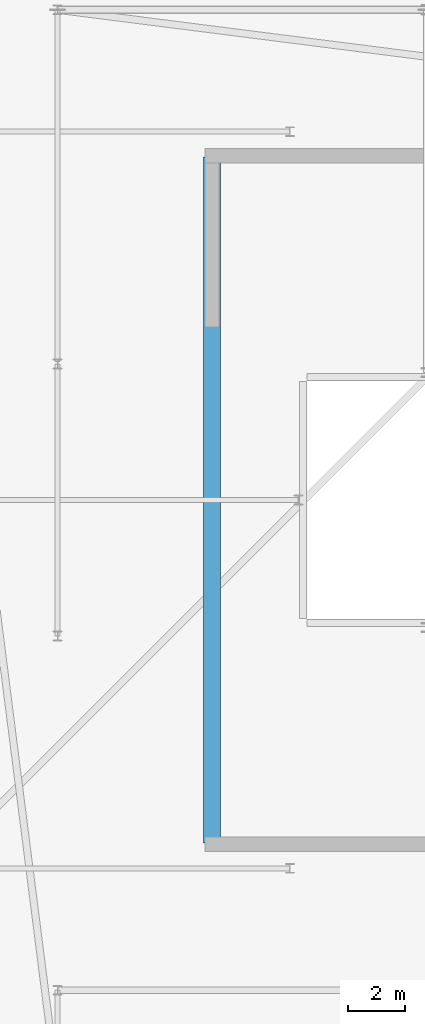
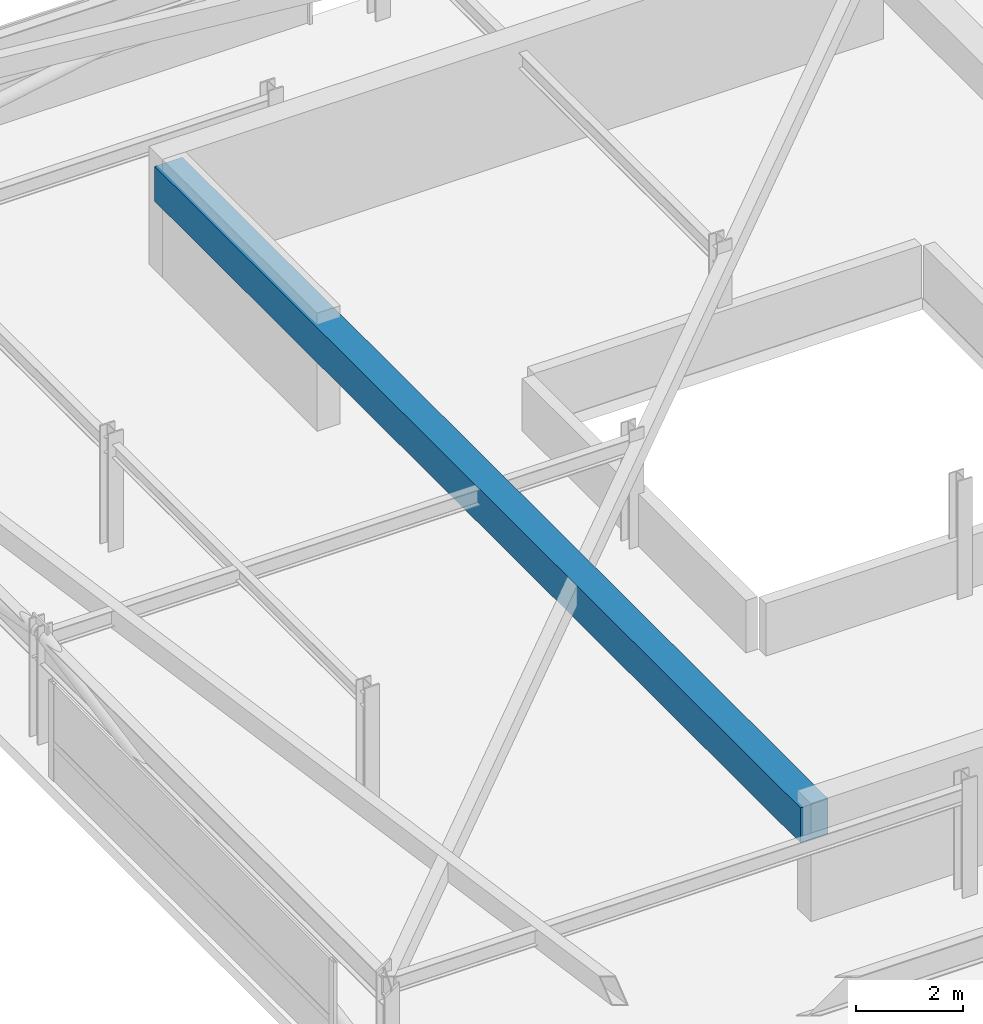
# One storey, part 13 of 42: 1 beam.
"""IFC4 building model written with IfcOpenShell, lengths in metres."""

from ifc_helpers import new_model, si_unit, direction, frame, origin, origin_2d, place, context, subcontext, project, spatial, rectangle, extrude, material, material_profile, profile_set, type_object, element, save


model = new_model("IFC4")

# Units and contexts
model_context = context("Model", 3, precision=1e-05, world=origin(), true_north=direction((0.0, 1.0)))
body_context = subcontext(model_context, "Body", "Model", "MODEL_VIEW")
ifc_project = project(units=[si_unit("LENGTHUNIT", "METRE"), si_unit("AREAUNIT", "SQUARE_METRE"), si_unit("VOLUMEUNIT", "CUBIC_METRE"), si_unit("PLANEANGLEUNIT", "RADIAN"), si_unit("MASSUNIT", "GRAM", prefix="KILO")], contexts=[model_context])

# Site, building, storey
site_placement = place(None, origin())
site = spatial("IfcSite", under=ifc_project, at=site_placement, CompositionType="ELEMENT")
building_placement = place(site_placement, origin())
building = spatial("IfcBuilding", under=site, at=building_placement, Name="Thornwick Lancets Civic Towers", CompositionType="ELEMENT")
storey_placement = place(building_placement, frame((0.0, 0.0, 289.5)))
storey = spatial("IfcBuildingStorey", under=building, at=storey_placement, Name="C04", CompositionType="ELEMENT", Elevation=289.5)

# Beam
ifc_material = material(Name="Concrete C60/75", Category="concrete")
ifc_material_profile = material_profile(ifc_material, rectangle(XDim=0.60009765625, YDim=0.800048828125, at=origin_2d()), Name="RC 600x800")
ifc_profile_set = profile_set([ifc_material_profile], Name="Concrete C60/75")
beam_type = type_object("IfcBeamType", Name="BM_COUP_RC800", PredefinedType="BEAM", material=ifc_profile_set)
beam_placement = place(storey_placement, frame((17.949951171875, 14.89990234375, 2.0400390625), z_axis=(0.0, 1.0, 0.0), x_axis=(-1.0, 0.0, 0.0)))
element("IfcBeam", 1, at=beam_placement, inside=storey, type_object=beam_type, Name="CB-C04-A2", PredefinedType="BEAM", context=body_context, shape_type="SweptSolid", body=[
    extrude(rectangle(XDim=0.60009765625, YDim=0.800048828125, at=origin_2d()), origin(), (0.0, 0.0, 1.0), 24.2001953125),
])

save(model, "model.ifc")
